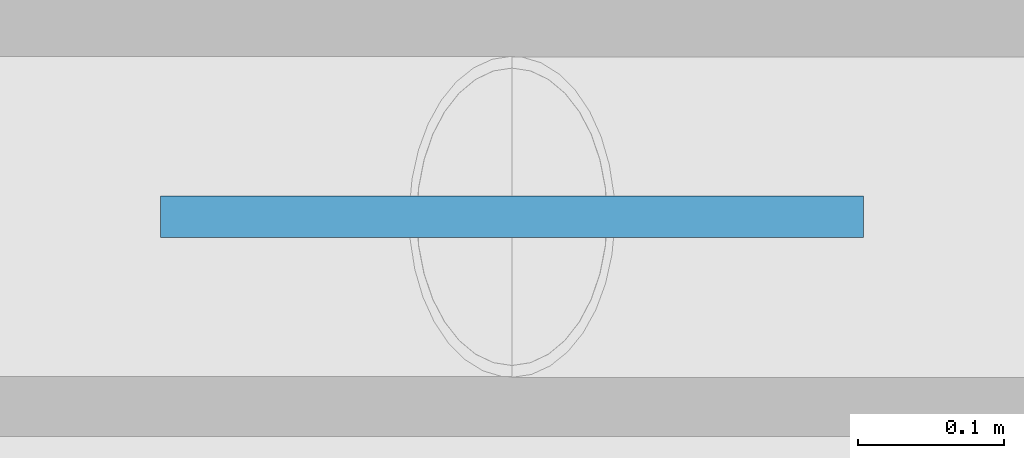
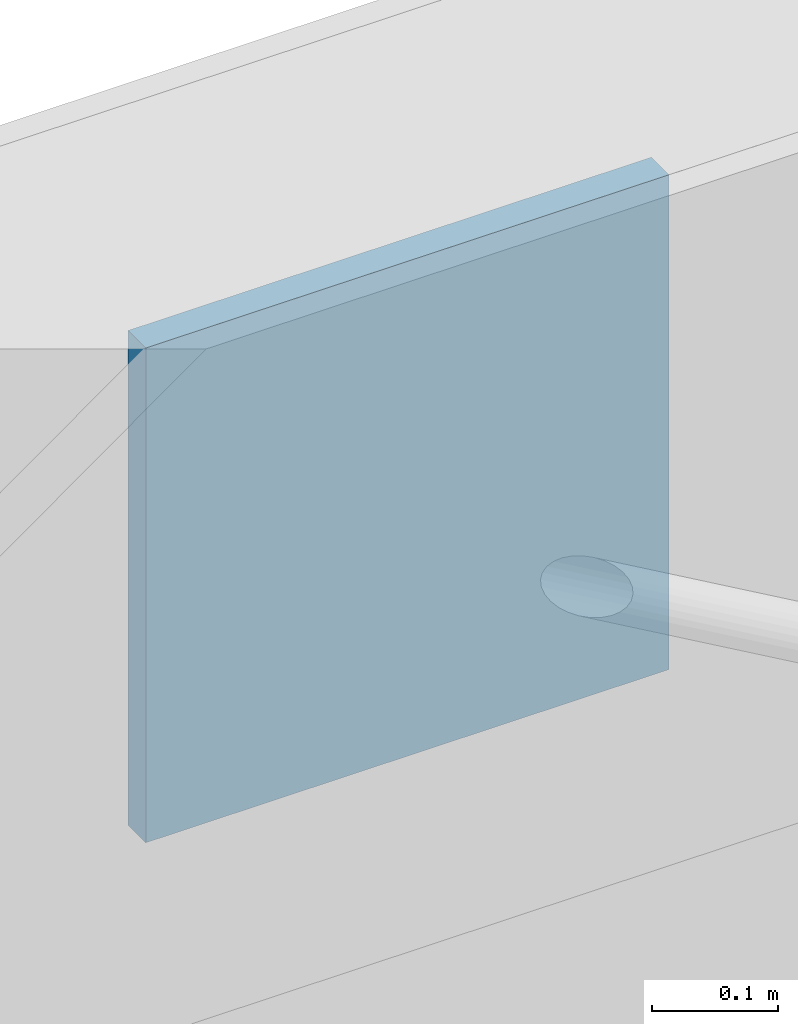
# One storey, part 7 of 13: 1 plate.
"""IFC4 building model written with IfcOpenShell, lengths in metres."""

import ifcopenshell
import ifcopenshell.guid

model = None  # the IFC model being written
_history = None  # IfcOwnerHistory: only IFC2X3 demands one
_inside = {}  # id of a spatial element -> (the spatial element, [elements in it])
_under = {}  # id of a project, library or spatial element -> (it, [spatial elements below it])
_declared = {}  # id of a project -> (the project, [libraries it declares])
_typed = {}  # id of a type object -> (the type object, [elements of that type])
_made_of = {}  # id of a material, layer set ... -> (it, [elements and type objects made of it])


def new_model(schema):
    """Start an empty IFC model of exactly this schema.

    Asked for "IFC4X3", IfcOpenShell would pick the latest addendum, in which some entities
    have other attributes; the version numbers below select the first issue.
    IFC2X3 requires an IfcOwnerHistory on every rooted entity: one is made here for all.
    """
    global model, _history
    if schema == "IFC4X3":
        model = ifcopenshell.file(schema_version=(4, 3, 0, 0))
    else:
        model = ifcopenshell.file(schema=schema)
    _inside.clear()
    _under.clear()
    _declared.clear()
    _typed.clear()
    _made_of.clear()
    _history = None
    if model.schema == "IFC2X3":
        org = make("IfcOrganization", Name="unknown")
        user = make(
            "IfcPersonAndOrganization",
            ThePerson=make("IfcPerson", FamilyName="unknown"),
            TheOrganization=org,
        )
        app = make(
            "IfcApplication",
            ApplicationDeveloper=org,
            Version="unknown",
            ApplicationFullName="unknown",
            ApplicationIdentifier="unknown",
        )
        _history = make(
            "IfcOwnerHistory",
            OwningUser=user,
            OwningApplication=app,
            ChangeAction="ADDED",
            CreationDate=0,
        )
    return model


def make(cls, **values):
    """One entity of the class cls with the attributes given. An attribute that is None is left unset."""
    return model.create_entity(
        cls, **{name: value for name, value in values.items() if value is not None}
    )


def rooted(cls, **values):
    """An entity with a GlobalId (a new one), such as an element, a storey or a relation."""
    return make(cls, GlobalId=ifcopenshell.guid.new(), OwnerHistory=_history, **values)


def si_unit(unit_type, name, prefix=None):
    """IfcSIUnit, for example si_unit("LENGTHUNIT", "METRE", prefix="MILLI")."""
    return make("IfcSIUnit", UnitType=unit_type, Prefix=prefix, Name=name)


def assignment(units):
    """IfcUnitAssignment: the units of a project."""
    return None if units is None else make("IfcUnitAssignment", Units=units)


def point(xyz):
    """IfcCartesianPoint."""
    return None if xyz is None else make("IfcCartesianPoint", Coordinates=xyz)


def direction(xyz):
    """IfcDirection."""
    return None if xyz is None else make("IfcDirection", DirectionRatios=xyz)


def frame(location, z_axis=None, x_axis=None):
    """IfcAxis2Placement3D, a coordinate frame: its origin and axes. An axis left out is left unset."""
    return make(
        "IfcAxis2Placement3D",
        Location=point(location),
        Axis=direction(z_axis),
        RefDirection=direction(x_axis),
    )


def frame_2d(location, x_axis=None):
    """IfcAxis2Placement2D, a coordinate frame in the plane: its origin and x axis."""
    return make(
        "IfcAxis2Placement2D", Location=point(location), RefDirection=direction(x_axis)
    )


def origin():
    """The frame at (0, 0, 0) with its axes left unset."""
    return frame((0.0, 0.0, 0.0))


def origin_2d():
    """The frame at (0, 0) in the plane with its x axis left unset."""
    return frame_2d((0.0, 0.0))


def place(relative_to, where):
    """IfcLocalPlacement: puts the frame where relative to a parent placement (None: the world)."""
    return make(
        "IfcLocalPlacement", PlacementRelTo=relative_to, RelativePlacement=where
    )


def context(
    kind, dimensions, precision=None, world=None, true_north=None, identifier=None
):
    """IfcGeometricRepresentationContext, for example the 3D "Model" context."""
    return make(
        "IfcGeometricRepresentationContext",
        ContextIdentifier=identifier,
        ContextType=kind,
        CoordinateSpaceDimension=dimensions,
        Precision=precision,
        WorldCoordinateSystem=world,
        TrueNorth=true_north,
    )


def subcontext(parent, identifier, kind, view, scale=None):
    """IfcGeometricRepresentationSubContext, for example "Body" below "Model"."""
    return make(
        "IfcGeometricRepresentationSubContext",
        ContextIdentifier=identifier,
        ContextType=kind,
        ParentContext=parent,
        TargetScale=scale,
        TargetView=view,
    )


def project(units=None, contexts=None):
    """IfcProject with its units and contexts."""
    return rooted(
        "IfcProject",
        Name="project",
        RepresentationContexts=contexts,
        UnitsInContext=assignment(units),
    )


def spatial(cls, under=None, at=None, **own):
    """A site, building, storey or space (cls), placed at a placement, below another one or the project."""
    s = rooted(cls, ObjectPlacement=at, **own)
    if under is not None:
        _under.setdefault(under.id(), (under, []))[1].append(s)
    return s


def profile(cls, at=None, kind="AREA", **sizes):
    """A parametric profile (cls). Its sizes go by their IFC names, for example OverallWidth=200.0."""
    return make(cls, ProfileType=kind, Position=at, **sizes)


def rectangle(**sizes):
    """IfcRectangleProfileDef."""
    return profile("IfcRectangleProfileDef", **sizes)


def extrude(swept, where, along, depth):
    """IfcExtrudedAreaSolid: the profile swept, set in the frame where, extruded along a direction by depth."""
    return make(
        "IfcExtrudedAreaSolid",
        SweptArea=swept,
        Position=where,
        ExtrudedDirection=direction(along),
        Depth=depth,
    )


def shape(context_of_items, identifier, shape_type, items):
    """IfcShapeRepresentation: the items that make up one representation, for example the "Body"."""
    return make(
        "IfcShapeRepresentation",
        ContextOfItems=context_of_items,
        RepresentationIdentifier=identifier,
        RepresentationType=shape_type,
        Items=items,
    )


def material(Name=None, Category=None):
    """IfcMaterial."""
    return make("IfcMaterial", Name=Name, Category=Category)


def layer(
    of_material, thickness, ventilated=None, Name=None, Category=None, Priority=None
):
    """IfcMaterialLayer: one layer of a wall or slab, of a material (None: an air gap)."""
    return make(
        "IfcMaterialLayer",
        Material=of_material,
        LayerThickness=thickness,
        IsVentilated=ventilated,
        Name=Name,
        Category=Category,
        Priority=Priority,
    )


def layer_set(layers, Name=None):
    """IfcMaterialLayerSet."""
    return make("IfcMaterialLayerSet", MaterialLayers=layers, LayerSetName=Name)


def made_of(thing, what):
    """Note that an element or type object is made of a material, layer set ...; save() writes the relation."""
    if what is not None:
        _made_of.setdefault(what.id(), (what, []))[1].append(thing)
    return thing


def type_object(cls, material=None, **own):
    """A type object (cls), such as IfcWallType, which elements share."""
    return made_of(rooted(cls, **own), material)


def element(
    cls,
    number,
    at=None,
    inside=None,
    cuts=None,
    type_object=None,
    material=None,
    context=None,
    identifier="Body",
    shape_type=None,
    held_by="IfcProductDefinitionShape",
    body=None,
    shapes=None,
    **own,
):
    """One element of the class cls, such as IfcWall. Its Tag is "e" and its number.

    at: its placement. inside: the storey or other place that contains it. cuts: it is an
    opening in that element (IfcRelVoidsElement). A single representation is given by context,
    identifier, shape_type and body (its items); several are given by shapes. held_by: the class
    of the entity that holds the representations. save() writes the other relations.
    """
    e = rooted(cls, Tag="e%d" % number, ObjectPlacement=at, **own)
    if body is not None:
        shapes = [shape(context, identifier, shape_type, body)]
    if shapes is not None:
        e.Representation = make(held_by, Representations=shapes)
    if inside is not None:
        _inside.setdefault(inside.id(), (inside, []))[1].append(e)
    if cuts is not None:
        rooted(
            "IfcRelVoidsElement", RelatingBuildingElement=cuts, RelatedOpeningElement=e
        )
    if type_object is not None:
        _typed.setdefault(type_object.id(), (type_object, []))[1].append(e)
    return made_of(e, material)


def aggregate(whole, parts):
    """IfcRelAggregates: a whole, such as a stair, and the parts it consists of."""
    return rooted("IfcRelAggregates", RelatingObject=whole, RelatedObjects=parts)


def save(model, path):
    """Write the relations noted so far, then the file.

    IfcRelAggregates (storeys below a building ...), IfcRelContainedInSpatialStructure (elements
    in a storey), IfcRelDefinesByType, IfcRelAssociatesMaterial and IfcRelDeclares: one each for
    every whole, place, type object, material and project.
    """
    for whole, parts in _under.values():
        aggregate(whole, parts)
    for where, things in _inside.values():
        rooted(
            "IfcRelContainedInSpatialStructure",
            RelatedElements=things,
            RelatingStructure=where,
        )
    for kind, things in _typed.values():
        rooted("IfcRelDefinesByType", RelatedObjects=things, RelatingType=kind)
    for what, things in _made_of.values():
        rooted("IfcRelAssociatesMaterial", RelatedObjects=things, RelatingMaterial=what)
    for by, libraries in _declared.values():
        rooted("IfcRelDeclares", RelatingContext=by, RelatedDefinitions=libraries)
    model.write(path)


model = new_model("IFC4")

# Units and contexts
model_context = context("Model", 3, precision=1e-05, world=origin(), true_north=direction((0.0, 1.0)))
body_context = subcontext(model_context, "Body", "Model", "MODEL_VIEW")
ifc_project = project(units=[si_unit("LENGTHUNIT", "METRE"), si_unit("AREAUNIT", "SQUARE_METRE"), si_unit("VOLUMEUNIT", "CUBIC_METRE"), si_unit("PLANEANGLEUNIT", "RADIAN"), si_unit("MASSUNIT", "GRAM", prefix="KILO")], contexts=[model_context])

# Site, building, storey
site_placement = place(None, origin())
site = spatial("IfcSite", under=ifc_project, at=site_placement, CompositionType="ELEMENT")
building_placement = place(site_placement, origin())
building = spatial("IfcBuilding", under=site, at=building_placement, Name="Chengyuan Square Courthouse", CompositionType="ELEMENT")
storey_placement = place(building_placement, frame((0.0, 0.0, 64.5)))
storey = spatial("IfcBuildingStorey", under=building, at=storey_placement, Name="L15", CompositionType="ELEMENT", Elevation=64.5)

# Plate
ifc_material = material(Name="Steel Q355B", Category="steel")
ifc_layer = layer(ifc_material, 0.028076171875)
ifc_layer_set = layer_set([ifc_layer], Name="Steel Q355B")
plate_type = type_object("IfcPlateType", Name="GP-02", PredefinedType="SHEET", material=ifc_layer_set)
plate_placement = place(storey_placement, frame((105.0, 108.0, 3.360107421875), z_axis=(0.0, 0.0, 1.0), x_axis=(1.0, 0.0, 0.0)))
element("IfcPlate", 1, at=plate_placement, inside=storey, type_object=plate_type, Name="Brace Gusset Plate GP-L15-12", PredefinedType="SHEET", context=body_context, shape_type="SweptSolid", body=[
    extrude(rectangle(XDim=0.47998046875, YDim=0.028076171875, at=origin_2d()), origin(), (0.0, 0.0, 1.0), 0.47998046875),
])

save(model, "model.ifc")
